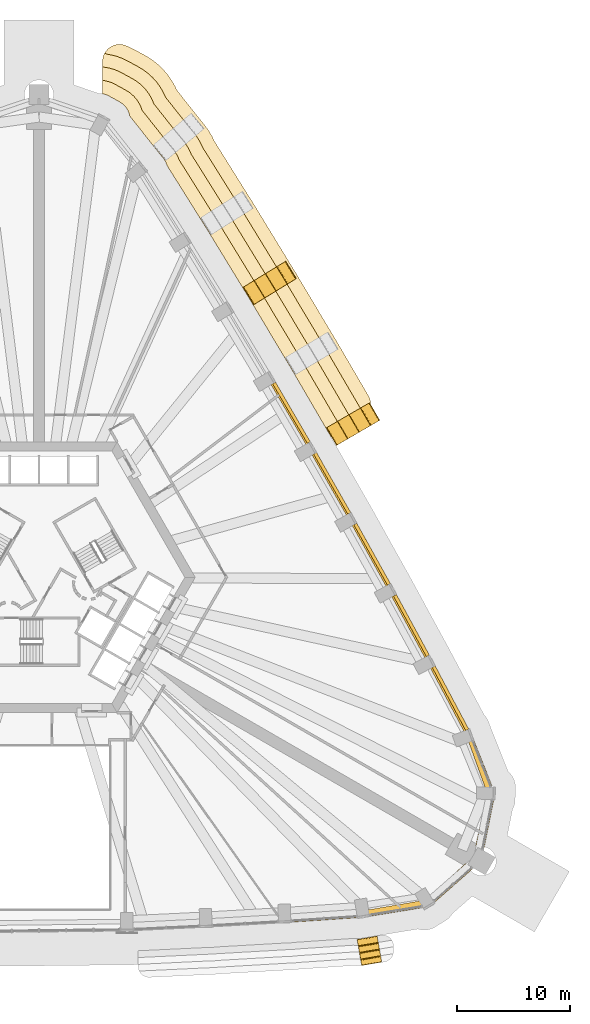
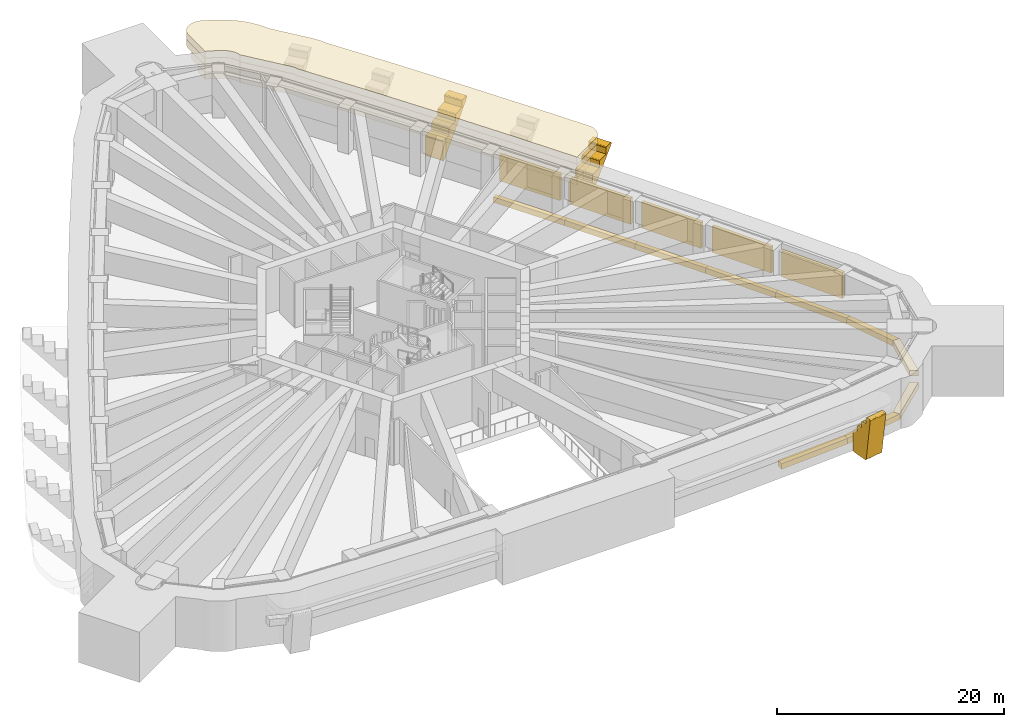
# One storey, part 21 of 22: 17 coverings, 5 shading devices.
"""IFC4 building model written with IfcOpenShell, lengths in metres."""

from ifc_helpers import new_model, si_unit, direction, frame, origin, origin_2d, place, context, subcontext, project, spatial, polyline, rectangle, outline, extrude, material, layer, layer_set, type_object, element, save


model = new_model("IFC4")

# Units and contexts
model_context = context("Model", 3, precision=1e-05, world=origin(), true_north=direction((0.0, 1.0)))
body_context = subcontext(model_context, "Body", "Model", "MODEL_VIEW")
ifc_project = project(units=[si_unit("LENGTHUNIT", "METRE"), si_unit("AREAUNIT", "SQUARE_METRE"), si_unit("VOLUMEUNIT", "CUBIC_METRE"), si_unit("PLANEANGLEUNIT", "RADIAN"), si_unit("MASSUNIT", "GRAM", prefix="KILO")], contexts=[model_context])

# Site, building, storey
site_placement = place(None, origin())
site = spatial("IfcSite", under=ifc_project, at=site_placement, CompositionType="ELEMENT")
building_placement = place(site_placement, origin())
building = spatial("IfcBuilding", under=site, at=building_placement, Name="Entoto Arch Interchange Tower", CompositionType="ELEMENT")
storey_placement = place(building_placement, frame((0.0, 0.0, 132.800048828125)))
storey = spatial("IfcBuildingStorey", under=building, at=storey_placement, Name="L29", CompositionType="ELEMENT", Elevation=132.800048828125)

# Shading devices
ifc_material_1 = material(Name="Aluminium, anodised", Category="aluminium")
ifc_layer = layer(ifc_material_1, 0.300048828125)
ifc_layer_set = layer_set([ifc_layer], Name="Aluminium, anodised")
shading_device_type = type_object("IfcShadingDeviceType", Name="PLANT LOUVRE ALUMINIUM", PredefinedType="JALOUSIE", material=ifc_layer_set)
shading_device_1_placement = place(storey_placement, frame((36.48388671875, -8.219970703125, 1.19970703125), z_axis=(0.0, 0.0, 1.0), x_axis=(-0.4686391959, 0.883389667172, 0.0)))
element("IfcShadingDevice", 1, at=shading_device_1_placement, inside=storey, type_object=shading_device_type, Name="Plant louvre NE-01 L29", PredefinedType="JALOUSIE", context=body_context, shape_type="SweptSolid", body=[
    extrude(rectangle(XDim=6.3291015625, YDim=0.300048828125, at=origin_2d()), origin(), (0.0, 0.0, 1.0), 2.800048828125),
])
shading_device_2_placement = place(storey_placement, frame((33.02001953125, -1.77001953125, 1.19970703125), z_axis=(0.0, 0.0, 1.0), x_axis=(-0.477664843409, 0.878542143196, 0.0)))
element("IfcShadingDevice", 2, at=shading_device_2_placement, inside=storey, type_object=shading_device_type, Name="Plant louvre NE-02 L29", PredefinedType="JALOUSIE", context=body_context, shape_type="SweptSolid", body=[
    extrude(rectangle(XDim=6.118896484375, YDim=0.300048828125, at=origin_2d()), origin(), (0.0, 0.0, 1.0), 2.800048828125),
])
for number, where, z_axis, x_axis, name in (
    (3, (29.5380859375, 4.552978515625, 1.19970703125), (0.0, 0.0, 1.0), (-0.486762327995, 0.873534450405, 0.0), "Plant louvre NE-03 L29"),
    (4, (25.993896484375, 10.840087890625, 1.19970703125), (0.0, 0.0, 1.0), (-0.495564788094, 0.86857097626, 0.0), "Plant louvre NE-04 L29"),
):
    element("IfcShadingDevice", number, at=place(storey_placement, frame(where, z_axis=z_axis, x_axis=x_axis)), inside=storey, type_object=shading_device_type, Name=name, PredefinedType="JALOUSIE", context=body_context, shape_type="SweptSolid", body=[
        extrude(rectangle(XDim=6.1201171875, YDim=0.300048828125, at=origin_2d()), origin(), (0.0, 0.0, 1.0), 2.800048828125),
    ])
shading_device_3_placement = place(storey_placement, frame((22.385009765625, 17.091064453125, 1.19970703125), z_axis=(0.0, 0.0, 1.0), x_axis=(-0.504316641424, 0.863518804186, 0.0)))
element("IfcShadingDevice", 5, at=shading_device_3_placement, inside=storey, type_object=shading_device_type, Name="Plant louvre NE-05 L29", PredefinedType="JALOUSIE", context=body_context, shape_type="SweptSolid", body=[
    extrude(rectangle(XDim=6.118896484375, YDim=0.300048828125, at=origin_2d()), origin(), (0.0, 0.0, 1.0), 2.800048828125),
])

# Coverings
ifc_material_2 = material(Name="Board-marked precast concrete C50/60", Category="concrete")
covering_type_1 = type_object("IfcCoveringType", Name="PRECAST FRAME COURSE", PredefinedType="CLADDING", material=ifc_material_2)
covering_1_placement = place(storey_placement, frame((28.306884765625, -30.159912109375, 1.800048828125), z_axis=(-0.98574945306, -0.168194553441, 0.002933936857), x_axis=(0.002993212528, -9.8896858e-05, 0.999995515439)))
element("IfcCovering", 6, at=covering_1_placement, inside=storey, type_object=covering_type_1, Name="Fold rib S08 L29", PredefinedType="CLADDING", context=body_context, shape_type="SweptSolid", body=[
    extrude(outline(polyline([(0.0, 0.0), (0.6149940532967947, 0.0), (0.6569929851118155, -0.011133083454593433), (0.6948485016908027, -0.03366764135562563), (0.7158590007314467, -0.05505007244456376), (0.7319862681414714, -0.07928232551933728), (0.7439663763351722, -0.10656927478803224), (0.7491085061144228, -0.13494045613006583), (0.7503663967914231, -0.5996861239333204), (1.3653604500882177, -0.5996861239333203), (1.4073593819032386, -0.6108192073879137), (1.4452119512783763, -0.6329488512629885), (1.4662224503190202, -0.6543312823519266), (1.4823497418737854, -0.6788041979790201), (1.4943298500674862, -0.7060911472477152), (1.499474902905846, -0.7346265800633861), (1.5007298705237373, -1.1992079963930034), (2.10058727295207, -1.199217092494858), (2.1445358909095207, -1.2051308371865321), (2.183608868198453, -1.224371796877166), (2.2065685399194157, -1.2426597893056552), (2.232713191461359, -1.278085407886383), (2.2446933237998006, -1.305613019707398), (2.24983837663816, -1.334148452523069), (2.250024282895711, -1.6444450215512174), (2.238818575397545, -1.6879581397957297), (2.2158913986847213, -1.7255792103227057), (2.1829500264912336, -1.7548184548928847), (2.1558614389831448, -1.7693269851733129), (2.112896794672598, -1.7793842224844323), (2.0828675358868485, -1.778439617767542), (-2.267323360529271, -1.251278057923552), (-2.2954029331725914, -1.2451141144437423), (-2.334475910461524, -1.2258731547531088), (-2.3564626537410858, -1.2076199236896117), (-2.382362459132856, -1.1719945587136529), (-2.393363720332717, -1.145792861414185), (-2.3994918228952784, -1.1032528098826897), (-2.4004067404329814, 0.4184528605327831), (-2.397494554591022, 0.4479147221628927), (-2.3823831522175247, 0.4895459502383783), (-2.3565259872614353, 0.524040168121037), (-2.3213841706454637, 0.550469193543941), (-2.2794024134684934, 0.5656675980034543), (-2.2503500991191396, 0.5685730072784029), (-0.1504885827843027, 0.5700526752635613), (-0.1214327417573242, 0.5667772692568724), (-0.07943269286167615, 0.5517525220967497), (-0.04450363784833032, 0.5261640015583973), (-0.018358986306386826, 0.4907383829776696), (-0.0034419572378742696, 0.4491662632629828), (-0.0002499240616440013, 0.41966700654746986), (0.0, 0.0)])), origin(), (0.0, 0.0, -1.0), 1.800048828125),
])
covering_2_placement = place(storey_placement, frame((0.0, 0.0, 4.050048828125)))
element("IfcCovering", 7, at=covering_2_placement, inside=storey, type_object=covering_type_1, Name="Cantilever cornice ne-L29 1", PredefinedType="CLADDING", context=body_context, shape_type="SweptSolid", body=[
    extrude(outline(polyline([(5.64892578125, 48.39599609375), (5.669921875, 48.5380859375), (5.7041015625, 48.677978515625), (5.751953125, 48.81494140625), (5.81201171875, 48.945068359375), (5.885009765625, 49.070068359375), (5.969970703125, 49.18701171875), (6.06494140625, 49.294921875), (6.169921875, 49.39404296875), (6.283935546875, 49.48193359375), (6.406005859375, 49.55908203125), (6.534912109375, 49.623046875), (6.669921875, 49.675048828125), (6.80908203125, 49.714111328125), (6.950927734375, 49.739013671875), (7.094970703125, 49.7509765625), (7.239013671875, 49.748046875), (7.382080078125, 49.73193359375), (7.52294921875, 49.701904296875), (7.660888671875, 49.658935546875), (7.7890625, 49.612060546875), (7.924072265625, 49.553955078125), (8.02294921875, 49.507080078125), (8.39892578125, 49.323974609375), (8.464111328125, 49.291015625), (9.364990234375, 48.798095703125), (9.428955078125, 48.761962890625), (9.698974609375, 48.595947265625), (9.8779296875, 48.486083984375), (10.0, 48.403076171875), (10.23291015625, 48.22705078125), (10.39111328125, 48.10693359375), (10.50390625, 48.012939453125), (10.864013671875, 47.679931640625), (10.968017578125, 47.574951171875), (11.2939453125, 47.208984375), (11.385986328125, 47.093994140625), (11.674072265625, 46.697021484375), (11.7548828125, 46.573974609375), (11.839111328125, 46.430908203125), (12.0029296875, 46.15087890625), (12.071044921875, 46.02099609375), (12.201904296875, 45.738037109375), (12.220947265625, 45.697021484375), (12.248046875, 45.6630859375), (14.31201171875, 43.053955078125), (14.31689453125, 43.047119140625), (14.322998046875, 43.0400390625), (14.595947265625, 42.7099609375), (14.64208984375, 42.652099609375), (14.9580078125, 42.22998046875), (15.041015625, 42.10791015625), (15.2548828125, 41.75390625), (15.294921875, 41.68896484375), (15.364990234375, 41.55908203125), (15.547119140625, 41.180908203125), (15.56494140625, 41.14306640625), (15.5869140625, 41.10693359375), (18.22509765625, 36.89404296875), (18.43603515625, 36.556884765625), (19.02099609375, 35.6220703125), (19.02490234375, 35.614013671875), (19.056884765625, 35.56396484375), (19.06103515625, 35.556884765625), (22.23095703125, 30.365966796875), (22.240966796875, 30.35107421875), (22.25, 30.337890625), (22.26806640625, 30.30908203125), (22.824951171875, 29.39404296875), (22.827880859375, 29.387939453125), (22.8369140625, 29.3740234375), (22.85400390625, 29.344970703125), (22.85791015625, 29.339111328125), (23.537109375, 28.200927734375), (25.971923828125, 24.123046875), (25.98095703125, 24.10791015625), (25.989990234375, 24.093994140625), (25.9990234375, 24.0791015625), (25.9990234375, 24.0791015625), (26.02294921875, 24.041015625), (26.56396484375, 23.12890625), (26.56689453125, 23.1240234375), (26.587890625, 23.087890625), (26.591064453125, 23.0830078125), (29.205078125, 18.60107421875), (29.27294921875, 18.469970703125), (29.327880859375, 18.3330078125), (29.368896484375, 18.19091796875), (29.39599609375, 18.0458984375), (29.407958984375, 17.89892578125), (29.406005859375, 17.751953125), (29.389892578125, 17.60498046875), (29.35888671875, 17.4609375), (29.31396484375, 17.320068359375), (29.256103515625, 17.18408203125), (29.18408203125, 17.054931640625), (29.10009765625, 16.93408203125), (29.0048828125, 16.821044921875), (28.89892578125, 16.718017578125), (28.782958984375, 16.626953125), (28.658935546875, 16.547119140625), (27.090087890625, 15.639892578125), (25.926025390625, 14.968017578125), (25.89404296875, 14.949951171875), (25.618896484375, 15.426025390625), (25.5859375, 15.47802734375), (22.529052734375, 20.718017578125), (22.52294921875, 20.72900390625), (21.9619140625, 21.675048828125), (21.93798828125, 21.7109375), (18.821044921875, 26.93310546875), (18.81201171875, 26.946044921875), (18.239990234375, 27.885986328125), (18.22607421875, 27.906982421875), (15.048095703125, 33.111083984375), (15.0380859375, 33.126953125), (14.455078125, 34.05908203125), (14.449951171875, 34.06591796875), (11.346923828125, 39.02294921875), (11.3369140625, 39.06298828125), (11.27587890625, 39.22900390625), (11.199951171875, 39.388916015625), (11.10888671875, 39.5400390625), (11.0029296875, 39.680908203125), (10.6650390625, 40.087890625), (8.051025390625, 43.39306640625), (8.048095703125, 43.412109375), (8.007080078125, 43.583984375), (7.948974609375, 43.75), (7.875, 43.910888671875), (7.785888671875, 44.06298828125), (7.681884765625, 44.2060546875), (7.56396484375, 44.337890625), (7.43408203125, 44.4580078125), (7.2939453125, 44.56396484375), (7.14306640625, 44.656982421875), (6.177978515625, 45.18408203125), (6.01904296875, 45.260986328125), (5.85302734375, 45.322021484375), (5.681884765625, 45.366943359375), (5.64208984375, 45.373046875), (5.64208984375, 45.408935546875), (5.64208984375, 48.251953125), (5.64892578125, 48.39599609375)])), origin(), (0.0, 0.0, 1.0), 0.75),
])
covering_3_placement = place(storey_placement, frame((0.0, 0.0, 3.300048828125)))
element("IfcCovering", 8, at=covering_3_placement, inside=storey, type_object=covering_type_1, Name="Cantilever cornice ne-L29 2", PredefinedType="CLADDING", context=body_context, shape_type="SweptSolid", body=[
    extrude(outline(polyline([(5.64892578125, 48.39599609375), (5.669921875, 48.5380859375), (5.7041015625, 48.677978515625), (5.751953125, 48.81494140625), (5.81201171875, 48.945068359375), (5.820068359375, 48.9580078125), (6.0869140625, 48.866943359375), (6.402099609375, 48.818115234375), (6.907958984375, 48.68603515625), (7.39794921875, 48.5048828125), (7.867919921875, 48.277099609375), (8.833984375, 47.75), (9.279052734375, 47.47705078125), (9.696044921875, 47.162109375), (10.080078125, 46.806884765625), (10.427001953125, 46.4169921875), (10.735107421875, 45.993896484375), (10.9990234375, 45.54296875), (11.216064453125, 45.072998046875), (13.404052734375, 42.306884765625), (13.716064453125, 41.930908203125), (14.029052734375, 41.512939453125), (14.300048828125, 41.06689453125), (14.52587890625, 40.594970703125), (14.531982421875, 40.577880859375), (17.43994140625, 35.93408203125), (17.444091796875, 35.927978515625), (18.027099609375, 34.9951171875), (18.055908203125, 34.947998046875), (21.237060546875, 29.739990234375), (21.2509765625, 29.718994140625), (21.822998046875, 28.780029296875), (21.846923828125, 28.739990234375), (24.969970703125, 23.509033203125), (24.993896484375, 23.472900390625), (25.554931640625, 22.527099609375), (25.573974609375, 22.493896484375), (28.638916015625, 17.239990234375), (28.672119140625, 17.18896484375), (28.927001953125, 16.74609375), (28.89892578125, 16.718017578125), (28.782958984375, 16.626953125), (28.658935546875, 16.547119140625), (27.090087890625, 15.639892578125), (25.926025390625, 14.968017578125), (25.89404296875, 14.949951171875), (25.618896484375, 15.426025390625), (25.5859375, 15.47802734375), (22.529052734375, 20.718017578125), (22.52294921875, 20.72900390625), (21.9619140625, 21.675048828125), (21.93798828125, 21.7109375), (18.821044921875, 26.93310546875), (18.81201171875, 26.946044921875), (18.239990234375, 27.885986328125), (18.22607421875, 27.906982421875), (15.048095703125, 33.111083984375), (15.0380859375, 33.126953125), (14.455078125, 34.05908203125), (14.449951171875, 34.06591796875), (11.346923828125, 39.02294921875), (11.3369140625, 39.06298828125), (11.27587890625, 39.22900390625), (11.199951171875, 39.388916015625), (11.10888671875, 39.5400390625), (11.0029296875, 39.680908203125), (10.6650390625, 40.087890625), (8.051025390625, 43.39306640625), (8.048095703125, 43.412109375), (8.007080078125, 43.583984375), (7.948974609375, 43.75), (7.875, 43.910888671875), (7.785888671875, 44.06298828125), (7.681884765625, 44.2060546875), (7.56396484375, 44.337890625), (7.43408203125, 44.4580078125), (7.2939453125, 44.56396484375), (7.14306640625, 44.656982421875), (6.177978515625, 45.18408203125), (6.01904296875, 45.260986328125), (5.85302734375, 45.322021484375), (5.681884765625, 45.366943359375), (5.64208984375, 45.373046875), (5.64208984375, 45.408935546875), (5.64208984375, 48.251953125), (5.64892578125, 48.39599609375)])), origin(), (0.0, 0.0, 1.0), 0.75),
])
covering_4_placement = place(storey_placement, frame((0.0, 0.0, 2.550048828125)))
element("IfcCovering", 9, at=covering_4_placement, inside=storey, type_object=covering_type_1, Name="Cantilever cornice ne-L29 3", PredefinedType="CLADDING", context=body_context, shape_type="SweptSolid", body=[
    extrude(outline(polyline([(27.090087890625, 15.639892578125), (25.926025390625, 14.968017578125), (25.89404296875, 14.949951171875), (25.618896484375, 15.426025390625), (25.5859375, 15.47802734375), (22.529052734375, 20.718017578125), (22.52294921875, 20.72900390625), (21.9619140625, 21.675048828125), (21.93798828125, 21.7109375), (18.821044921875, 26.93310546875), (18.81201171875, 26.946044921875), (18.239990234375, 27.885986328125), (18.22607421875, 27.906982421875), (15.048095703125, 33.111083984375), (15.0380859375, 33.126953125), (14.455078125, 34.05908203125), (14.449951171875, 34.06591796875), (11.346923828125, 39.02294921875), (11.3369140625, 39.06298828125), (11.27587890625, 39.22900390625), (11.199951171875, 39.388916015625), (11.10888671875, 39.5400390625), (11.0029296875, 39.680908203125), (10.6650390625, 40.087890625), (8.051025390625, 43.39306640625), (8.048095703125, 43.412109375), (8.007080078125, 43.583984375), (7.948974609375, 43.75), (7.875, 43.910888671875), (7.785888671875, 44.06298828125), (7.681884765625, 44.2060546875), (7.56396484375, 44.337890625), (7.43408203125, 44.4580078125), (7.2939453125, 44.56396484375), (7.14306640625, 44.656982421875), (6.177978515625, 45.18408203125), (6.01904296875, 45.260986328125), (5.85302734375, 45.322021484375), (5.681884765625, 45.366943359375), (5.64208984375, 45.373046875), (5.64208984375, 45.408935546875), (5.64208984375, 47.777099609375), (5.7958984375, 47.72509765625), (6.162109375, 47.6669921875), (6.555908203125, 47.56494140625), (6.93798828125, 47.424072265625), (7.304931640625, 47.24609375), (8.27001953125, 46.718994140625), (8.616943359375, 46.506103515625), (8.94189453125, 46.260009765625), (9.240966796875, 45.98388671875), (9.511962890625, 45.679931640625), (9.751953125, 45.35009765625), (9.9580078125, 44.9990234375), (10.1279296875, 44.62890625), (10.175048828125, 44.49609375), (12.490966796875, 41.56689453125), (12.81103515625, 41.180908203125), (13.055908203125, 40.85498046875), (13.26708984375, 40.507080078125), (13.443115234375, 40.139892578125), (13.47412109375, 40.053955078125), (16.443115234375, 35.31103515625), (16.447998046875, 35.304931640625), (17.031005859375, 34.3720703125), (17.052978515625, 34.3359375), (20.23291015625, 29.12890625), (20.2470703125, 29.10791015625), (20.820068359375, 28.1689453125), (20.837890625, 28.136962890625), (23.958984375, 22.909912109375), (23.98291015625, 22.8740234375), (24.5439453125, 21.927978515625), (24.55908203125, 21.902099609375), (27.62109375, 16.652099609375), (27.654052734375, 16.60107421875), (27.928955078125, 16.125), (27.090087890625, 15.639892578125)])), origin(), (0.0, 0.0, 1.0), 0.75),
])
covering_5_placement = place(storey_placement, frame((0.0, 0.0, 1.800048828125)))
element("IfcCovering", 10, at=covering_5_placement, inside=storey, type_object=covering_type_1, Name="Cantilever cornice ne-L29 4", PredefinedType="CLADDING", context=body_context, shape_type="SweptSolid", body=[
    extrude(outline(polyline([(25.926025390625, 14.968017578125), (25.89404296875, 14.949951171875), (25.618896484375, 15.426025390625), (25.5859375, 15.47802734375), (22.529052734375, 20.718017578125), (22.52294921875, 20.72900390625), (21.9619140625, 21.675048828125), (21.93798828125, 21.7109375), (18.821044921875, 26.93310546875), (18.81201171875, 26.946044921875), (18.239990234375, 27.885986328125), (18.22607421875, 27.906982421875), (15.048095703125, 33.111083984375), (15.0380859375, 33.126953125), (14.455078125, 34.05908203125), (14.449951171875, 34.06591796875), (11.346923828125, 39.02294921875), (11.3369140625, 39.06298828125), (11.27587890625, 39.22900390625), (11.199951171875, 39.388916015625), (11.10888671875, 39.5400390625), (11.0029296875, 39.680908203125), (10.6650390625, 40.087890625), (8.051025390625, 43.39306640625), (8.048095703125, 43.412109375), (8.007080078125, 43.583984375), (7.948974609375, 43.75), (7.875, 43.910888671875), (7.785888671875, 44.06298828125), (7.681884765625, 44.2060546875), (7.56396484375, 44.337890625), (7.43408203125, 44.4580078125), (7.2939453125, 44.56396484375), (7.14306640625, 44.656982421875), (6.177978515625, 45.18408203125), (6.01904296875, 45.260986328125), (5.85302734375, 45.322021484375), (5.681884765625, 45.366943359375), (5.64208984375, 45.373046875), (5.64208984375, 45.408935546875), (5.64208984375, 46.56103515625), (5.922119140625, 46.51708984375), (6.205078125, 46.443115234375), (6.47900390625, 46.343017578125), (6.740966796875, 46.215087890625), (7.7060546875, 45.68798828125), (7.955078125, 45.534912109375), (8.18798828125, 45.35888671875), (8.403076171875, 45.160888671875), (8.596923828125, 44.943115234375), (8.76904296875, 44.70703125), (8.916015625, 44.455078125), (9.0390625, 44.18994140625), (9.133056640625, 43.9189453125), (11.577880859375, 40.827880859375), (11.906982421875, 40.430908203125), (12.08203125, 40.197998046875), (12.23291015625, 39.947998046875), (12.360107421875, 39.68505859375), (12.416015625, 39.530029296875), (15.447021484375, 34.68896484375), (15.450927734375, 34.681884765625), (16.033935546875, 33.75), (16.050048828125, 33.722900390625), (19.22998046875, 28.51806640625), (19.243896484375, 28.4970703125), (19.81591796875, 27.55810546875), (19.8291015625, 27.534912109375), (22.948974609375, 22.31005859375), (22.971923828125, 22.27490234375), (23.532958984375, 21.327880859375), (23.5439453125, 21.31005859375), (26.60302734375, 16.06494140625), (26.635986328125, 16.013916015625), (26.910888671875, 15.537109375), (25.926025390625, 14.968017578125)])), origin(), (0.0, 0.0, 1.0), 0.75),
])
covering_6_placement = place(storey_placement, frame((26.591064453125, 14.31396484375, -0.338134765625), z_axis=(0.499948228632, -0.866049701236, 0.003111860668), x_axis=(-0.69570526109, -0.403747545147, -0.594122975047)))
element("IfcCovering", 11, at=covering_6_placement, inside=storey, type_object=covering_type_1, Name="Fold rib NE05 L29", PredefinedType="CLADDING", context=body_context, shape_type="SweptSolid", body=[
    extrude(outline(polyline([(0.0, 0.0), (0.0435610597680661, -3.469446951953614e-18), (0.08544379343548017, -0.013634605040251609), (0.12194738262192989, -0.03786484288122965), (0.15029465962180566, -0.07124829305580113), (0.16727829221806748, -0.11232316147463103), (0.17126929315621436, -0.1416782559686505), (0.16705080699034464, -0.1843932659692065), (0.150681790368981, -0.22572076598224142), (-0.9755364241630453, -1.7509970126545449), (-0.9945504051932934, -1.7730707386325775), (-1.0189061459634288, -1.7899869689949353), (-1.045462608843721, -1.8025450491963988), (-1.07385592391005, -1.8101019042246151), (-1.1033466416044053, -1.8119977315414317), (-1.1329496804198425, -1.8077351837747069), (-1.1598551152005456, -1.7975751208271311), (-1.1849524292109141, -1.7829822346828166), (-1.9855092691046177, -1.1916754109430756), (-2.3517762373784277, -1.6857061024868558), (-2.3849806312435065, -1.713384214603992), (-2.4115370941237986, -1.725942294805455), (-2.4404232650802, -1.7331392062409887), (-2.4701005265535168, -1.7348912696982008), (-2.513106366897098, -1.7268019193744633), (-2.5521005988720833, -1.7055878179654393), (-3.375869108568242, -1.0971351816541755), (-3.7420375056640385, -1.591237861916492), (-3.776414155088223, -1.6180523229886576), (-3.8021926471214673, -1.631186099360945), (-3.8313639330348446, -1.6381672582183375), (-3.8601919449218687, -1.640548955990909), (-3.9040470348517426, -1.6318299713518123), (-3.9421920172404357, -1.6112455042581475), (-4.767302632412959, -1.0018032900388416), (-5.133471029508755, -1.4959059703011581), (-5.155166729415765, -1.5156962852180964), (-5.1795231004591, -1.5313952810229468), (-5.207351650622913, -1.5405832523458889), (-5.236830509193801, -1.5449137623551885), (-5.280549107912989, -1.5414582240611372), (-5.308303792279984, -1.5306685267982025), (-5.333625541085152, -1.5159136126428137), (-5.865531529566212, -1.1230345175517096), (-5.88698341877754, -1.1032457392604402), (-5.904775531990394, -1.0803914962696899), (-5.917651393667087, -1.0532770008954917), (-5.924700924645451, -1.0243939472262031), (-5.925753644735032, -0.9950854966824032), (-5.921461030892889, -0.9660832269433128), (-5.911775974469383, -0.9383360048919633), (-5.896947561208418, -0.9131678319042011), (-5.8762796975792595, -0.891100252428846), (-5.85314269074467, -0.8735887386959935), (-5.826539749487938, -0.8607622908200545), (-5.798403626666614, -0.8542249683452048), (-4.841827982231241, -0.713046999226862), (-4.809324582599908, -0.712164733317298), (-4.778453565984379, -0.7037041187305992), (0.0, 0.0)])), origin(), (0.0, 0.0, -1.0), 1.800048828125),
])
covering_7_placement = place(storey_placement, frame((19.238037109375, 26.7958984375, -0.325927734375), z_axis=(0.520195032435, -0.854042386643, 0.002954665349), x_axis=(-0.682939642803, -0.418049182522, -0.599022808648)))
element("IfcCovering", 12, at=covering_7_placement, inside=storey, type_object=covering_type_1, Name="Fold rib NE07 L29", PredefinedType="CLADDING", context=body_context, shape_type="SweptSolid", body=[
    extrude(outline(polyline([(0.0, 0.0), (0.043607081766170425, 3.469446951953614e-18), (0.08555659023183185, -0.012781490456044993), (0.12257916393659002, -0.03773399447257616), (0.14969355054055675, -0.07173821793031478), (0.16635487707857438, -0.11194994591453511), (0.17025257269925856, -0.1560245898458626), (0.1617159159930114, -0.19964564282577993), (0.14893638090737005, -0.2248417192929542), (-0.979192734866199, -1.7350128988743667), (-0.9987463542098856, -1.7566699104922003), (-1.0228018882210963, -1.7737346674376104), (-1.0490729515715729, -1.7864038399496776), (-1.0774340454554698, -1.7938451819992234), (-1.107514426248435, -1.7951232532377814), (-1.1369223225717118, -1.7908096603628518), (-1.1639263650321592, -1.780362099464516), (-1.1895705022696552, -1.7651443727030485), (-1.9862028156580975, -1.1691814462633296), (-2.3546808916868063, -1.661566185735113), (-2.388453809228734, -1.6887439727154736), (-2.41508561745803, -1.701139089620971), (-2.444021695807965, -1.7081528951984244), (-2.4734351433560056, -1.7099317731406787), (-2.5163873949163036, -1.701579086783176), (-2.555647838678642, -1.6798300043974599), (-3.3760230938669764, -1.066107982876708), (-3.7452327736631394, -1.5579422976679131), (-3.7791077539937685, -1.5850445009492322), (-3.8057395622230645, -1.5974396178547294), (-3.8338419740168437, -1.6050794318118027), (-3.8639223548098087, -1.6063575030503607), (-3.9072828575249137, -1.5977024818966894), (-3.9454681168875205, -1.5767565410108386), (-4.765843372075855, -0.9630345194900867), (-5.135053051872017, -1.4548688342812914), (-5.156971539091094, -1.4744500174220905), (-5.182490395901496, -1.4892021155838697), (-5.2096024065734206, -1.4988026355515234), (-5.23894390283364, -1.5030737756354529), (-5.282640215398455, -1.4993483652840198), (-5.31005250901371, -1.4885984695895158), (-5.3352883950963985, -1.4736830776242167), (-5.864915746566028, -1.0774689675856126), (-5.886413912296039, -1.0574212210043), (-5.904401804003634, -1.034209591559585), (-5.916334873247857, -1.0075970921745099), (-5.922933975544646, -0.978879550281976), (-5.924375842950766, -0.9491412601610936), (-5.920003540966823, -0.9200925244705962), (-5.910153744212795, -0.8923953965217328), (-5.894659344624458, -0.8677029520246853), (-5.874762259912776, -0.8450868478036635), (-5.850713516649584, -0.8283191301501915), (-5.823935462617396, -0.815728523373958), (-5.794999384267461, -0.8087147177965051), (-4.845663845856978, -0.6758654404109099), (-4.806839932095329, -0.6762501010501683), (-4.767933339349323, -0.6654142081624759), (0.0, 0.0)])), origin(), (0.0, 0.0, -1.0), 1.800048828125),
])
covering_type_2 = type_object("IfcCoveringType", Name="PRECAST LEDGE COURSE", PredefinedType="CLADDING", material=ifc_material_2)
covering_8_placement = place(storey_placement, frame((0.0, 0.0, -1.199951171875)))
element("IfcCovering", 13, at=covering_8_placement, inside=storey, type_object=covering_type_2, Name="Precast course S-07 L29", PredefinedType="CLADDING", context=body_context, shape_type="SweptSolid", body=[
    extrude(outline(polyline([(28.783935546875, -27.044921875), (28.783935546875, -27.64404296875), (21.7890625, -28.115966796875), (21.7890625, -27.47802734375), (28.783935546875, -27.044921875)])), origin(), (0.0, 0.0, 1.0), 0.599853515625),
])
covering_9_placement = place(storey_placement, frame((0.0, 0.0, -1.199951171875)))
element("IfcCovering", 14, at=covering_9_placement, inside=storey, type_object=covering_type_2, Name="Precast course SE-01 L29", PredefinedType="CLADDING", context=body_context, shape_type="SweptSolid", body=[
    extrude(outline(polyline([(34.27587890625, -26.10009765625), (34.635986328125, -26.69091796875), (28.783935546875, -27.64404296875), (28.783935546875, -27.044921875), (34.27587890625, -26.10009765625)])), origin(), (0.0, 0.0, 1.0), 0.599853515625),
])
covering_10_placement = place(storey_placement, frame((0.0, 0.0, -1.199951171875)))
element("IfcCovering", 15, at=covering_10_placement, inside=storey, type_object=covering_type_2, Name="Precast course SE-02 L29", PredefinedType="CLADDING", context=body_context, shape_type="SweptSolid", body=[
    extrude(outline(polyline([(37.81494140625, -22.8720703125), (38.527099609375, -23.282958984375), (34.635986328125, -26.69091796875), (34.27587890625, -26.10009765625), (37.81494140625, -22.8720703125)])), origin(), (0.0, 0.0, 1.0), 0.599853515625),
])
covering_11_placement = place(storey_placement, frame((0.0, 0.0, -1.199951171875)))
element("IfcCovering", 16, at=covering_11_placement, inside=storey, type_object=covering_type_2, Name="Precast course SE-03 L29", PredefinedType="CLADDING", context=body_context, shape_type="SweptSolid", body=[
    extrude(outline(polyline([(39.740966796875, -16.635009765625), (40.43408203125, -16.65087890625), (39.427001953125, -21.72509765625), (38.715087890625, -21.31396484375), (39.740966796875, -16.635009765625)])), origin(), (0.0, 0.0, 1.0), 0.599853515625),
])
covering_12_placement = place(storey_placement, frame((0.0, 0.0, -1.199951171875)))
element("IfcCovering", 17, at=covering_12_placement, inside=storey, type_object=covering_type_2, Name="Precast course SE-04 L29", PredefinedType="CLADDING", context=body_context, shape_type="SweptSolid", body=[
    extrude(outline(polyline([(37.924072265625, -11.617919921875), (38.368896484375, -11.452880859375), (40.43408203125, -16.65087890625), (39.740966796875, -16.635009765625), (37.924072265625, -11.617919921875)])), origin(), (0.0, 0.0, 1.0), 0.599853515625),
])
covering_13_placement = place(storey_placement, frame((0.0, 0.0, -1.199951171875)))
element("IfcCovering", 18, at=covering_13_placement, inside=storey, type_object=covering_type_2, Name="Precast course NE-01 L29", PredefinedType="CLADDING", context=body_context, shape_type="SweptSolid", body=[
    extrude(outline(polyline([(34.468994140625, -5.0869140625), (34.8759765625, -4.8701171875), (38.368896484375, -11.452880859375), (37.924072265625, -11.617919921875), (34.468994140625, -5.0869140625)])), origin(), (0.0, 0.0, 1.0), 0.599853515625),
])
covering_14_placement = place(storey_placement, frame((0.0, 0.0, -1.199951171875)))
element("IfcCovering", 19, at=covering_14_placement, inside=storey, type_object=covering_type_2, Name="Precast course NE-02 L29", PredefinedType="CLADDING", context=body_context, shape_type="SweptSolid", body=[
    extrude(outline(polyline([(31.028076171875, 1.25390625), (31.427001953125, 1.471923828125), (34.8759765625, -4.8701171875), (34.468994140625, -5.0869140625), (31.028076171875, 1.25390625)])), origin(), (0.0, 0.0, 1.0), 0.599853515625),
])
covering_15_placement = place(storey_placement, frame((0.0, 0.0, -1.199951171875)))
element("IfcCovering", 20, at=covering_15_placement, inside=storey, type_object=covering_type_2, Name="Precast course NE-03 L29", PredefinedType="CLADDING", context=body_context, shape_type="SweptSolid", body=[
    extrude(outline(polyline([(27.52001953125, 7.55810546875), (27.9130859375, 7.779052734375), (31.427001953125, 1.471923828125), (31.028076171875, 1.25390625), (27.52001953125, 7.55810546875)])), origin(), (0.0, 0.0, 1.0), 0.599853515625),
])
covering_16_placement = place(storey_placement, frame((0.0, 0.0, -1.199951171875)))
element("IfcCovering", 21, at=covering_16_placement, inside=storey, type_object=covering_type_2, Name="Precast course NE-04 L29", PredefinedType="CLADDING", context=body_context, shape_type="SweptSolid", body=[
    extrude(outline(polyline([(23.945068359375, 13.824951171875), (24.3349609375, 14.050048828125), (27.9130859375, 7.779052734375), (27.52001953125, 7.55810546875), (23.945068359375, 13.824951171875)])), origin(), (0.0, 0.0, 1.0), 0.599853515625),
])
covering_17_placement = place(storey_placement, frame((0.0, 0.0, -1.199951171875)))
element("IfcCovering", 22, at=covering_17_placement, inside=storey, type_object=covering_type_2, Name="Precast course NE-05 L29", PredefinedType="CLADDING", context=body_context, shape_type="SweptSolid", body=[
    extrude(outline(polyline([(20.305908203125, 20.053955078125), (20.694091796875, 20.283935546875), (24.3349609375, 14.050048828125), (23.945068359375, 13.824951171875), (20.305908203125, 20.053955078125)])), origin(), (0.0, 0.0, 1.0), 0.599853515625),
])

save(model, "model.ifc")
